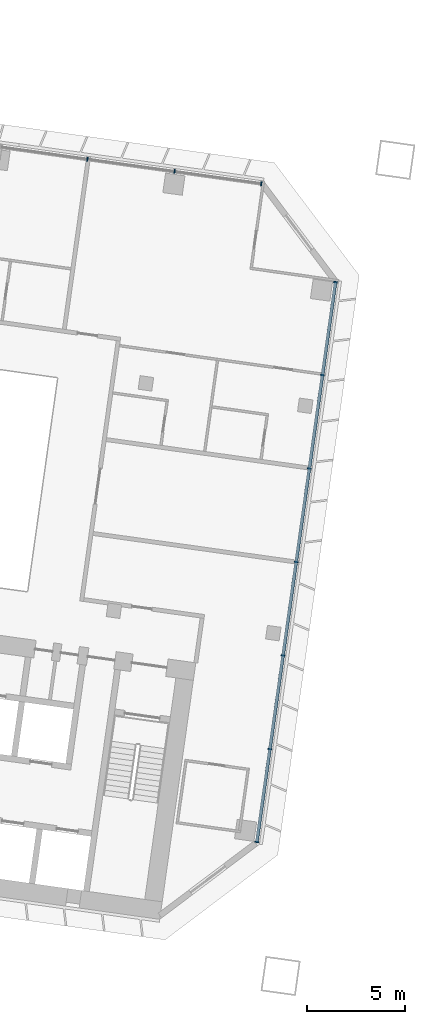
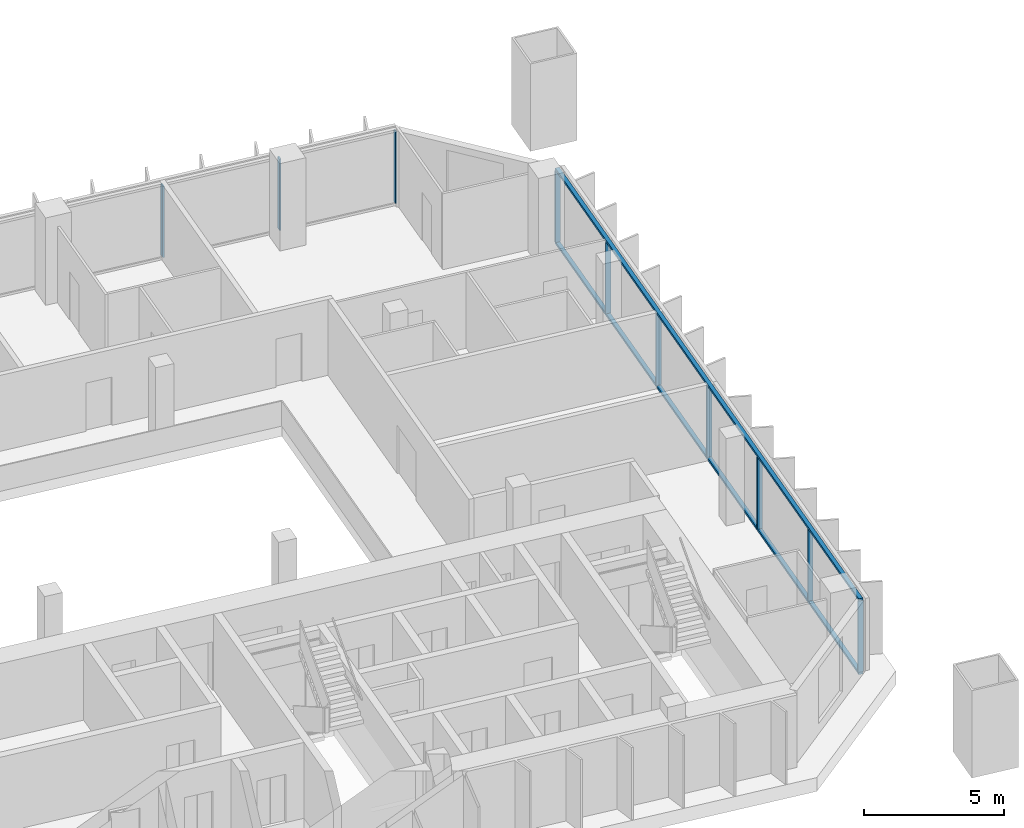
# One storey, part 6 of 24: 12 members, 2 elements without a shape of their own.
"""IFC4 building model written with IfcOpenShell, lengths in metres."""

from ifc_helpers import new_model, si_unit, direction, frame, origin, origin_2d, place, context, subcontext, project, spatial, rectangle, extrude, material, material_profile, profile_set, type_object, element, aggregate, save


model = new_model("IFC4")

# Units and contexts
model_context = context("Model", 3, precision=1e-05, world=origin(), true_north=direction((0.0, 1.0)))
body_context = subcontext(model_context, "Body", "Model", "MODEL_VIEW")
ifc_project = project(units=[si_unit("LENGTHUNIT", "METRE"), si_unit("AREAUNIT", "SQUARE_METRE"), si_unit("VOLUMEUNIT", "CUBIC_METRE"), si_unit("PLANEANGLEUNIT", "RADIAN"), si_unit("MASSUNIT", "GRAM", prefix="KILO")], contexts=[model_context])

# Site, building, storey
site_placement = place(None, origin())
site = spatial("IfcSite", under=ifc_project, at=site_placement, CompositionType="ELEMENT")
building_placement = place(site_placement, origin())
building = spatial("IfcBuilding", under=site, at=building_placement, Name="Mirante Cascada Hotel Towers", CompositionType="ELEMENT")
storey_placement = place(building_placement, frame((0.0, 0.0, 88.9)))
storey = spatial("IfcBuildingStorey", under=building, at=storey_placement, Name="L19", CompositionType="ELEMENT", Elevation=88.9)

# Curtain wall, members
ifc_material_1 = material(Name="Aluminium mullion and transom frame with clear laminated glass", Category="aluminium")
curtain_wall_type_1 = type_object("IfcCurtainWallType", Name="Ribbon curtain wall ECW1", PredefinedType="NOTDEFINED", material=ifc_material_1)
curtain_wall_1_placement = place(storey_placement, origin())
curtain_wall_1 = element("IfcCurtainWall", 1, at=curtain_wall_1_placement, inside=storey, type_object=curtain_wall_type_1, Name="Front ribbon wall T1 L19", PredefinedType="NOTDEFINED")
ifc_material_2 = material(Name="Anodised aluminium extrusion", Category="aluminium")
ifc_material_profile_1 = material_profile(ifc_material_2, rectangle(XDim=0.2, YDim=0.065, at=origin_2d()), Name="ECW1 MULLION 65x200")
ifc_profile_set_1 = profile_set([ifc_material_profile_1], Name="Anodised aluminium extrusion")
member_type_1 = type_object("IfcMemberType", Name="ECW1 mullion 65x200", PredefinedType="MULLION", material=ifc_profile_set_1)
member_1_placement = place(storey_placement, frame((-40.7892, 18.5516, 0.1), z_axis=(0.0, 0.0, 1.0), x_axis=(0.1391731, 0.9902681, 0.0)))
member_1 = element("IfcMember", 2, at=member_1_placement, type_object=member_type_1, Name="ECW1 mullion 13", PredefinedType="MULLION", context=body_context, shape_type="SweptSolid", body=[
    extrude(rectangle(XDim=0.2, YDim=0.065, at=origin_2d()), origin(), (0.0, 0.0, 1.0), 3.1),
])
member_2_placement = place(storey_placement, frame((-36.3417, 17.9265, 0.1), z_axis=(0.0, 0.0, 1.0), x_axis=(0.1391731, 0.9902681, 0.0)))
member_2 = element("IfcMember", 3, at=member_2_placement, type_object=member_type_1, Name="ECW1 mullion 14", PredefinedType="MULLION", context=body_context, shape_type="SweptSolid", body=[
    extrude(rectangle(XDim=0.2, YDim=0.065, at=origin_2d()), origin(), (0.0, 0.0, 1.0), 3.1),
])
member_3_placement = place(storey_placement, frame((-31.9265, 17.306, 0.1), z_axis=(0.0, 0.0, 1.0), x_axis=(0.1391731, 0.9902681, 0.0)))
member_3 = element("IfcMember", 4, at=member_3_placement, type_object=member_type_1, Name="ECW1 mullion 15", PredefinedType="MULLION", context=body_context, shape_type="SweptSolid", body=[
    extrude(rectangle(XDim=0.2, YDim=0.065, at=origin_2d()), origin(), (0.0, 0.0, 1.0), 3.1),
])
aggregate(curtain_wall_1, [member_1, member_2, member_3])

ifc_material_3 = material(Name="Aluminium mullion and transom frame with clear laminated glass", Category="aluminium")
curtain_wall_type_2 = type_object("IfcCurtainWallType", Name="End ribbon curtain wall ECW2", PredefinedType="NOTDEFINED", material=ifc_material_3)
curtain_wall_2_placement = place(storey_placement, origin())
curtain_wall_2 = element("IfcCurtainWall", 5, at=curtain_wall_2_placement, inside=storey, type_object=curtain_wall_type_2, Name="Inner end wall T1 L19", PredefinedType="NOTDEFINED")
ifc_material_4 = material(Name="Anodised aluminium extrusion", Category="aluminium")
ifc_material_profile_2 = material_profile(ifc_material_4, rectangle(XDim=0.2, YDim=0.065, at=origin_2d()), Name="ECW2 MULLION 65x200")
ifc_profile_set_2 = profile_set([ifc_material_profile_2], Name="Anodised aluminium extrusion")
member_type_2 = type_object("IfcMemberType", Name="ECW2 mullion 65x200", PredefinedType="MULLION", material=ifc_profile_set_2)
member_4_placement = place(storey_placement, frame((-28.1437, 12.2861, 0.1), z_axis=(0.0, 0.0, 1.0), x_axis=(0.9902681, -0.1391731, 0.0)))
member_4 = element("IfcMember", 6, at=member_4_placement, type_object=member_type_2, Name="ECW2 mullion 1", PredefinedType="MULLION", context=body_context, shape_type="SweptSolid", body=[
    extrude(rectangle(XDim=0.2, YDim=0.065, at=origin_2d()), origin(), (0.0, 0.0, 1.0), 3.1),
])
member_5_placement = place(storey_placement, frame((-28.809, 7.5524, 0.1), z_axis=(0.0, 0.0, 1.0), x_axis=(0.9902681, -0.1391731, 0.0)))
member_5 = element("IfcMember", 7, at=member_5_placement, type_object=member_type_2, Name="ECW2 mullion 2", PredefinedType="MULLION", context=body_context, shape_type="SweptSolid", body=[
    extrude(rectangle(XDim=0.2, YDim=0.065, at=origin_2d()), origin(), (0.0, 0.0, 1.0), 3.1),
])
member_6_placement = place(storey_placement, frame((-29.4788, 2.7867, 0.1), z_axis=(0.0, 0.0, 1.0), x_axis=(0.9902681, -0.1391731, 0.0)))
member_6 = element("IfcMember", 8, at=member_6_placement, type_object=member_type_2, Name="ECW2 mullion 3", PredefinedType="MULLION", context=body_context, shape_type="SweptSolid", body=[
    extrude(rectangle(XDim=0.2, YDim=0.065, at=origin_2d()), origin(), (0.0, 0.0, 1.0), 3.1),
])
member_7_placement = place(storey_placement, frame((-30.1485, -1.9791, 0.1), z_axis=(0.0, 0.0, 1.0), x_axis=(0.9902681, -0.1391731, 0.0)))
member_7 = element("IfcMember", 9, at=member_7_placement, type_object=member_type_2, Name="ECW2 mullion 4", PredefinedType="MULLION", context=body_context, shape_type="SweptSolid", body=[
    extrude(rectangle(XDim=0.2, YDim=0.065, at=origin_2d()), origin(), (0.0, 0.0, 1.0), 3.1),
])
member_8_placement = place(storey_placement, frame((-30.8183, -6.7449, 0.1), z_axis=(0.0, 0.0, 1.0), x_axis=(0.9902681, -0.1391731, 0.0)))
member_8 = element("IfcMember", 10, at=member_8_placement, type_object=member_type_2, Name="ECW2 mullion 5", PredefinedType="MULLION", context=body_context, shape_type="SweptSolid", body=[
    extrude(rectangle(XDim=0.2, YDim=0.065, at=origin_2d()), origin(), (0.0, 0.0, 1.0), 3.1),
])
member_9_placement = place(storey_placement, frame((-31.4881, -11.5107, 0.1), z_axis=(0.0, 0.0, 1.0), x_axis=(0.9902681, -0.1391731, 0.0)))
member_9 = element("IfcMember", 11, at=member_9_placement, type_object=member_type_2, Name="ECW2 mullion 6", PredefinedType="MULLION", context=body_context, shape_type="SweptSolid", body=[
    extrude(rectangle(XDim=0.2, YDim=0.065, at=origin_2d()), origin(), (0.0, 0.0, 1.0), 3.1),
])
member_10_placement = place(storey_placement, frame((-32.1534, -16.2443, 0.1), z_axis=(0.0, 0.0, 1.0), x_axis=(0.9902681, -0.1391731, 0.0)))
member_10 = element("IfcMember", 12, at=member_10_placement, type_object=member_type_2, Name="ECW2 mullion 7", PredefinedType="MULLION", context=body_context, shape_type="SweptSolid", body=[
    extrude(rectangle(XDim=0.2, YDim=0.065, at=origin_2d()), origin(), (0.0, 0.0, 1.0), 3.1),
])
ifc_material_5 = material(Name="Anodised aluminium extrusion", Category="aluminium")
ifc_material_profile_3 = material_profile(ifc_material_5, rectangle(XDim=0.16, YDim=0.1, at=origin_2d()), Name="ECW2 TRANSOM 100x160")
ifc_profile_set_3 = profile_set([ifc_material_profile_3], Name="Anodised aluminium extrusion")
member_type_3 = type_object("IfcMemberType", Name="ECW2 transom 100x160", PredefinedType="USERDEFINED", material=ifc_profile_set_3)
member_11_placement = place(storey_placement, frame((-28.1392, 12.3182, 0.05), z_axis=(-0.1391723, -0.9902682, 0.0), x_axis=(0.9902682, -0.1391723, 0.0)))
member_11 = element("IfcMember", 13, at=member_11_placement, type_object=member_type_3, Name="ECW2 sill transom", ObjectType="TRANSOM", PredefinedType="USERDEFINED", context=body_context, shape_type="SweptSolid", body=[
    extrude(rectangle(XDim=0.16, YDim=0.1, at=origin_2d()), origin(), (0.0, 0.0, 1.0), 28.8757),
])
member_12_placement = place(storey_placement, frame((-28.1392, 12.3182, 3.25), z_axis=(-0.1391723, -0.9902682, 0.0), x_axis=(0.9902682, -0.1391723, 0.0)))
member_12 = element("IfcMember", 14, at=member_12_placement, type_object=member_type_3, Name="ECW2 head transom", ObjectType="TRANSOM", PredefinedType="USERDEFINED", context=body_context, shape_type="SweptSolid", body=[
    extrude(rectangle(XDim=0.16, YDim=0.1, at=origin_2d()), origin(), (0.0, 0.0, 1.0), 28.8757),
])
aggregate(curtain_wall_2, [member_11, member_12, member_4, member_5, member_6, member_7, member_8, member_9, member_10])

save(model, "model.ifc")
